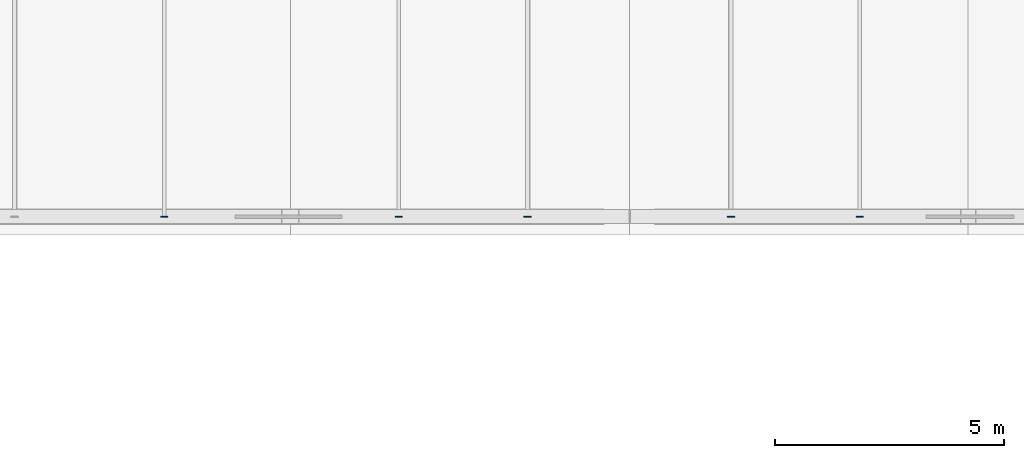
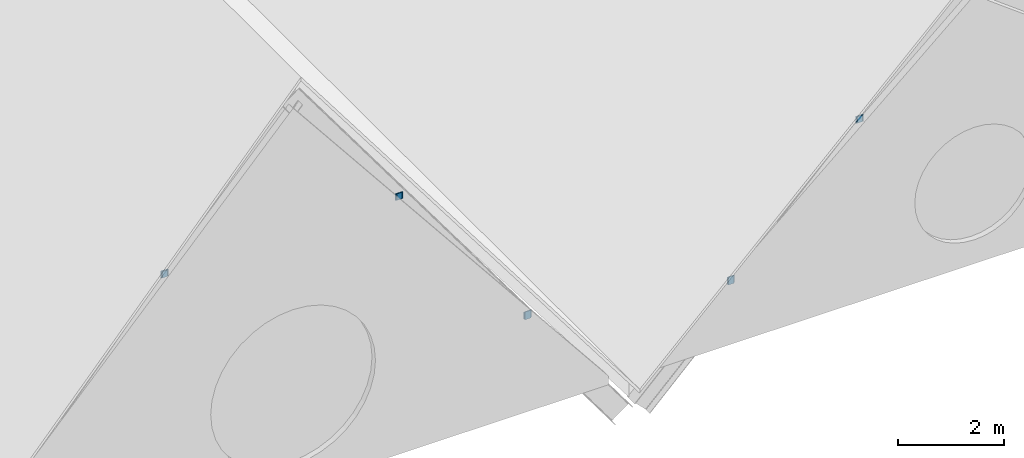
# One storey, part 42 of 64: 10 plates.
"""IFC4 building model written with IfcOpenShell, lengths in metres."""

from ifc_helpers import new_model, si_unit, direction, frame, origin, origin_2d, place, context, subcontext, project, spatial, rectangle, extrude, material, layer, layer_set, type_object, element, save


model = new_model("IFC4")

# Units and contexts
model_context = context("Model", 3, precision=1e-05, world=origin(), true_north=direction((0.0, 1.0)))
body_context = subcontext(model_context, "Body", "Model", "MODEL_VIEW")
ifc_project = project(units=[si_unit("LENGTHUNIT", "METRE"), si_unit("AREAUNIT", "SQUARE_METRE"), si_unit("VOLUMEUNIT", "CUBIC_METRE"), si_unit("PLANEANGLEUNIT", "RADIAN"), si_unit("MASSUNIT", "GRAM", prefix="KILO")], contexts=[model_context])

# Site, building, storey
site_placement = place(None, origin())
site = spatial("IfcSite", under=ifc_project, at=site_placement, CompositionType="ELEMENT")
building_placement = place(site_placement, origin())
building = spatial("IfcBuilding", under=site, at=building_placement, Name="Zhaolan Boulevard Law Courts", CompositionType="ELEMENT")
storey_placement = place(building_placement, frame((0.0, 0.0, 20.39990234375)))
storey = spatial("IfcBuildingStorey", under=building, at=storey_placement, Name="L04", CompositionType="ELEMENT", Elevation=20.39990234375)

# Plates
ifc_material = material(Name="Structural steel Q355B", Category="steel")
ifc_layer = layer(ifc_material, 0.02001953125)
ifc_layer_set = layer_set([ifc_layer])
plate_type = type_object("IfcPlateType", Name="END CAP PLATE 20", PredefinedType="SHEET", material=ifc_layer_set)
for number, where, z_axis, x_axis, name in (
    (1, (97.780029296875, 62.0, 2.24609375), (0.0, 0.0, 1.0), (1.0, 0.0, 0.0), "Purlin End-Cap Plate ECP-GPR3ES"),
    (2, (89.847900390625, 62.0, 5.97021484375), (0.0, 0.0, 1.0), (1.0, 0.0, 0.0), "Purlin End-Cap Plate ECP-GPR3WS"),
    (3, (94.968017578125, 62.0, 5.97021484375), (0.0, 0.0, 1.0), (1.0, 0.0, 0.0), "Purlin End-Cap Plate ECP-GPR3ES"),
    (4, (102.219970703125, 62.0, 1.4931640625), (0.0, 0.0, 1.0), (1.0, 0.0, 0.0), "Purlin End-Cap Plate ECP-GPR4WS"),
    (5, (105.031982421875, 62.0, 4.22900390625), (0.0, 0.0, 1.0), (1.0, 0.0, 0.0), "Purlin End-Cap Plate ECP-GPR4WS"),
):
    element("IfcPlate", number, at=place(storey_placement, frame(where, z_axis=z_axis, x_axis=x_axis)), inside=storey, type_object=plate_type, Name=name, PredefinedType="SHEET", context=body_context, shape_type="SweptSolid", body=[
        extrude(rectangle(XDim=0.159912109375, YDim=0.02001953125, at=origin_2d()), origin(), (0.0, 0.0, 1.0), 0.159912109375),
    ])
plate_1_placement = place(storey_placement, frame((97.780029296875, 61.991943359375, 2.236328125), z_axis=(0.0, 0.0, 1.0), x_axis=(0.0, 1.0, 0.0)))
element("IfcPlate", 6, at=plate_1_placement, inside=storey, type_object=plate_type, Name="Hollow Section End-Cap Plate ECP-1443", PredefinedType="SHEET", context=body_context, shape_type="SweptSolid", body=[
    extrude(rectangle(XDim=0.02001953125, YDim=0.1298828125, at=origin_2d()), origin(), (0.0, 0.0, 1.0), 0.179931640625),
])
for number, where, z_axis, x_axis, name in (
    (7, (89.847900390625, 61.991943359375, 5.97509765625), (0.0, 0.0, 1.0), (0.0, 1.0, 0.0), "Hollow Section End-Cap Plate ECP-1445"),
    (8, (94.968017578125, 61.991943359375, 5.97509765625), (0.0, 0.0, 1.0), (0.0, 1.0, 0.0), "Hollow Section End-Cap Plate ECP-1447"),
):
    element("IfcPlate", number, at=place(storey_placement, frame(where, z_axis=z_axis, x_axis=x_axis)), inside=storey, type_object=plate_type, Name=name, PredefinedType="SHEET", context=body_context, shape_type="SweptSolid", body=[
        extrude(rectangle(XDim=0.02001953125, YDim=0.110107421875, at=origin_2d()), origin(), (0.0, 0.0, 1.0), 0.14990234375),
    ])
plate_2_placement = place(storey_placement, frame((102.219970703125, 61.991943359375, 1.48291015625), z_axis=(0.0, 0.0, 1.0), x_axis=(0.0, 1.0, 0.0)))
element("IfcPlate", 9, at=plate_2_placement, inside=storey, type_object=plate_type, Name="Hollow Section End-Cap Plate ECP-1449", PredefinedType="SHEET", context=body_context, shape_type="SweptSolid", body=[
    extrude(rectangle(XDim=0.02001953125, YDim=0.1298828125, at=origin_2d()), origin(), (0.0, 0.0, 1.0), 0.179931640625),
])
plate_3_placement = place(storey_placement, frame((105.031982421875, 61.991943359375, 4.234130859375), z_axis=(0.0, 0.0, 1.0), x_axis=(0.0, 1.0, 0.0)))
element("IfcPlate", 10, at=plate_3_placement, inside=storey, type_object=plate_type, Name="Hollow Section End-Cap Plate ECP-1453", PredefinedType="SHEET", context=body_context, shape_type="SweptSolid", body=[
    extrude(rectangle(XDim=0.02001953125, YDim=0.110107421875, at=origin_2d()), origin(), (0.0, 0.0, 1.0), 0.14990234375),
])

save(model, "model.ifc")
